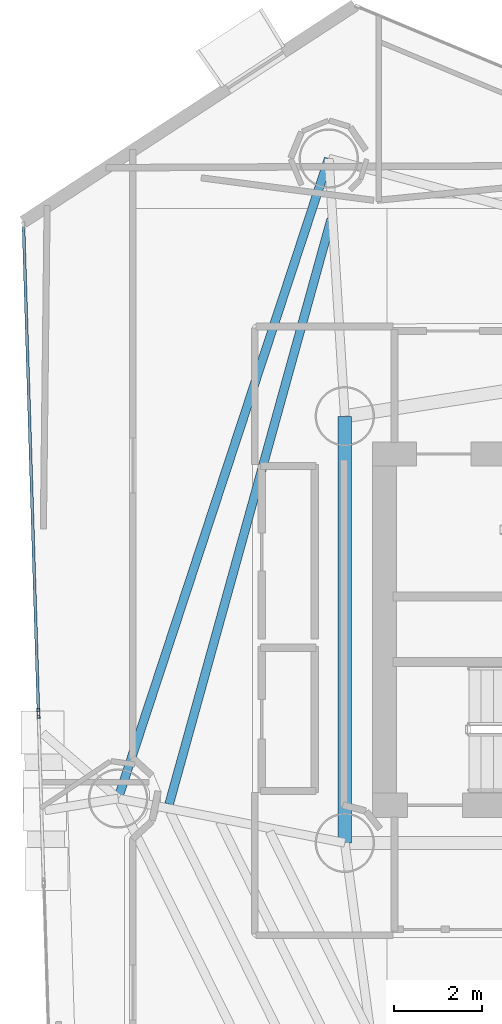
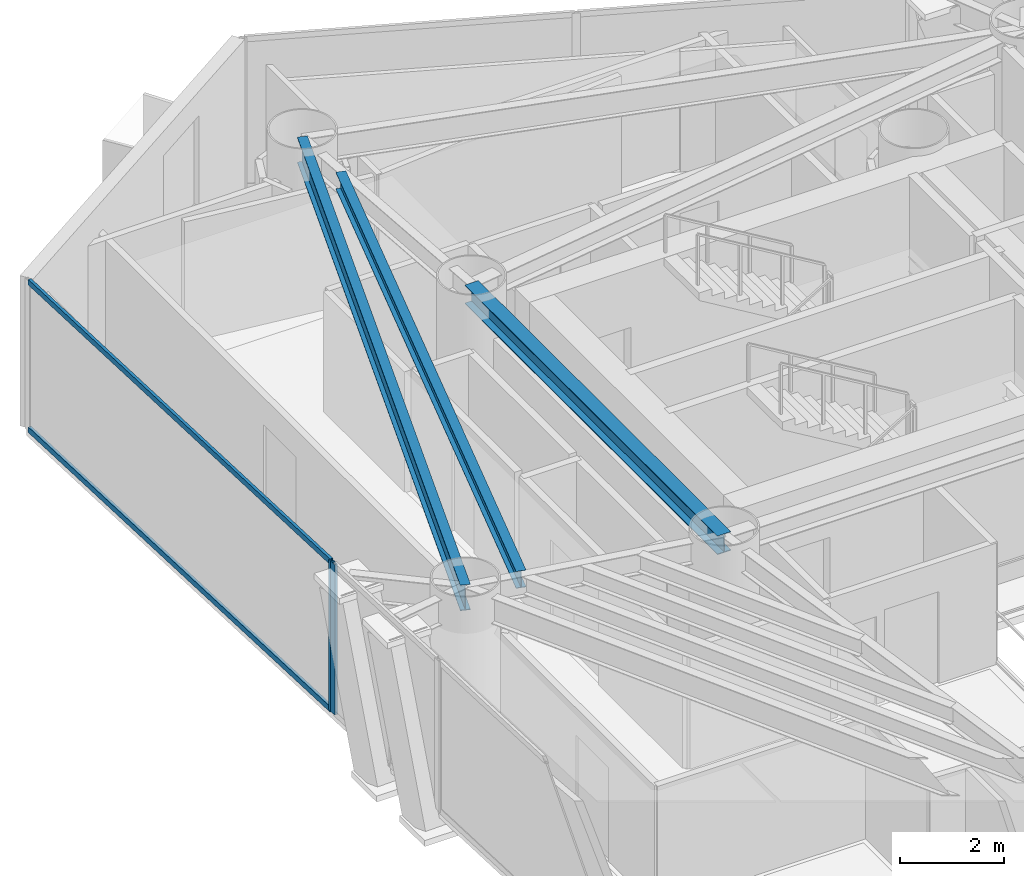
# One storey, part 9 of 22: 4 members, 3 beams, 2 elements without a shape of their own.
"""IFC4 building model written with IfcOpenShell, lengths in metres."""

from ifc_helpers import new_model, si_unit, direction, frame, origin, origin_2d, place, context, subcontext, project, spatial, hollow_rectangle, i_section, extrude, material, layer, layer_set, material_profile, profile_set, type_object, element, aggregate, save


model = new_model("IFC4")

# Units and contexts
model_context = context("Model", 3, precision=1e-05, world=origin(), true_north=direction((0.0, 1.0)))
body_context = subcontext(model_context, "Body", "Model", "MODEL_VIEW")
ifc_project = project(units=[si_unit("LENGTHUNIT", "METRE"), si_unit("AREAUNIT", "SQUARE_METRE"), si_unit("VOLUMEUNIT", "CUBIC_METRE"), si_unit("PLANEANGLEUNIT", "RADIAN"), si_unit("MASSUNIT", "GRAM", prefix="KILO")], contexts=[model_context])

# Site, building, storey
site_placement = place(None, origin())
site = spatial("IfcSite", under=ifc_project, at=site_placement, CompositionType="ELEMENT")
building_placement = place(site_placement, origin())
building = spatial("IfcBuilding", under=site, at=building_placement, Name="Qianvela Tower", CompositionType="ELEMENT")
storey_placement = place(building_placement, frame((0.0, 0.0, 158.699951171875)))
storey = spatial("IfcBuildingStorey", under=building, at=storey_placement, Name="L40", CompositionType="ELEMENT", Elevation=158.699951171875)

# Beams
ifc_material_1 = material(Name="Steel Q355B", Category="steel")
ifc_material_profile_1 = material_profile(ifc_material_1, i_section(OverallWidth=0.300048828125, OverallDepth=0.43994140625, WebThickness=0.010986328125, FlangeThickness=0.01806640625, at=origin_2d()), Name="HM440x300x11x18")
ifc_profile_set_1 = profile_set([ifc_material_profile_1], Name="Steel Q355B")
beam_type_1 = type_object("IfcBeamType", Name="BM-HM440-COLL", PredefinedType="BEAM", material=ifc_profile_set_1)
beam_1_placement = place(storey_placement, frame((28.60009765625, 33.550048828125, 3.298095703125), z_axis=(0.0, -1.0, 0.0), x_axis=(1.0, 0.0, 0.0)))
element("IfcBeam", 1, at=beam_1_placement, inside=storey, type_object=beam_type_1, Name="L40 Core Ring Collector Girder CC2", PredefinedType="BEAM", context=body_context, shape_type="SweptSolid", body=[
    extrude(i_section(OverallWidth=0.300048828125, OverallDepth=0.43994140625, WebThickness=0.010986328125, FlangeThickness=0.01806640625, at=origin_2d()), origin(), (0.0, 0.0, 1.0), 9.699951171875),
])
ifc_material_2 = material(Name="Steel Q355B", Category="steel")
ifc_material_profile_2 = material_profile(ifc_material_2, i_section(OverallWidth=0.199951171875, OverallDepth=0.39990234375, WebThickness=0.008056640625, FlangeThickness=0.012939453125, at=origin_2d()), Name="HN400x200x8x13")
ifc_profile_set_2 = profile_set([ifc_material_profile_2], Name="Steel Q355B")
beam_type_2 = type_object("IfcBeamType", Name="BM-HN400-JOIST", PredefinedType="JOIST", material=ifc_profile_set_2)
beam_2_placement = place(storey_placement, frame((28.289794921875, 38.029052734375, 3.318115234375), z_axis=(-0.266971346744, -0.963704467157, 0.0), x_axis=(0.963704467157, -0.266971346744, 0.0)))
element("IfcBeam", 2, at=beam_2_placement, inside=storey, type_object=beam_type_2, Name="L40 Secondary Composite Floor Joist 3.3", PredefinedType="JOIST", context=body_context, shape_type="SweptSolid", body=[
    extrude(i_section(OverallWidth=0.199951171875, OverallDepth=0.39990234375, WebThickness=0.008056640625, FlangeThickness=0.012939453125, at=origin_2d()), origin(), (0.0, 0.0, 1.0), 13.800537109375),
])
ifc_material_3 = material(Name="Steel Q355B", Category="steel")
ifc_material_profile_3 = material_profile(ifc_material_3, i_section(OverallWidth=0.199951171875, OverallDepth=0.60009765625, WebThickness=0.010986328125, FlangeThickness=0.01708984375, at=origin_2d()), Name="HN600x200x11x17")
ifc_profile_set_3 = profile_set([ifc_material_profile_3], Name="Steel Q355B")
beam_type_3 = type_object("IfcBeamType", Name="BM-HN600-GIRD", PredefinedType="BEAM", material=ifc_profile_set_3)
beam_3_placement = place(storey_placement, frame((28.235107421875, 39.410888671875, 3.218017578125), z_axis=(-0.312606332657, -0.949882772126, 0.0), x_axis=(0.949882772126, -0.312606332657, 0.0)))
element("IfcBeam", 3, at=beam_3_placement, inside=storey, type_object=beam_type_3, Name="L40 Perimeter Ring Spandrel Girder 3", PredefinedType="BEAM", context=body_context, shape_type="SweptSolid", body=[
    extrude(i_section(OverallWidth=0.199951171875, OverallDepth=0.60009765625, WebThickness=0.010986328125, FlangeThickness=0.01708984375, at=origin_2d()), origin(), (0.0, 0.0, 1.0), 15.31982421875),
])

# Curtain wall, member
ifc_material_4 = material(Name="Anodised Architectural Aluminium and Insulated Spandrel Panel", Category="aluminium")
ifc_layer_1 = layer(ifc_material_4, 0.179931640625)
ifc_layer_set_1 = layer_set([ifc_layer_1], Name="Anodised Architectural Aluminium and Insulated Spandrel Panel")
curtain_wall_type_1 = type_object("IfcCurtainWallType", Name="CW-BRACEBAY", PredefinedType="USERDEFINED", material=ifc_layer_set_1)
curtain_wall_1_placement = place(storey_placement, origin())
curtain_wall_1 = element("IfcCurtainWall", 4, at=curtain_wall_1_placement, inside=storey, type_object=curtain_wall_type_1, Name="L40 CW-BRACEBAY Curtain Wall 04B", ObjectType="CURTAIN_WALL_SYSTEM", PredefinedType="USERDEFINED")
ifc_material_5 = material(Name="Anodised Architectural Aluminium 6063-T6", Category="aluminium")
ifc_material_profile_4 = material_profile(ifc_material_5, hollow_rectangle(XDim=0.06494140625, YDim=0.159912109375, WallThickness=0.0048828125, at=origin_2d()), Name="ALU-MULL-65x160")
ifc_profile_set_4 = profile_set([ifc_material_profile_4], Name="Anodised Architectural Aluminium 6063-T6")
member_type_1 = type_object("IfcMemberType", Name="CW-BRACEBAY-MULL", PredefinedType="MULLION", material=ifc_profile_set_4)
member_1_placement = place(storey_placement, frame((21.63525390625, 26.76416015625, 0.0), z_axis=(0.0, 0.0, 1.0), x_axis=(0.999528664556, 0.030699327861, 0.0)))
member_1 = element("IfcMember", 5, at=member_1_placement, type_object=member_type_1, Name="CW-9 mullion 1", PredefinedType="MULLION", context=body_context, shape_type="SweptSolid", body=[
    extrude(hollow_rectangle(XDim=0.06494140625, YDim=0.159912109375, WallThickness=0.0048828125, at=origin_2d()), origin(), (0.0, 0.0, 1.0), 3.52001953125),
])
aggregate(curtain_wall_1, [member_1])

# Curtain wall, members
ifc_material_6 = material(Name="Anodised Architectural Aluminium and Low-E Glass", Category="aluminium")
ifc_layer_2 = layer(ifc_material_6, 0.169921875)
ifc_layer_set_2 = layer_set([ifc_layer_2], Name="Anodised Architectural Aluminium and Low-E Glass")
curtain_wall_type_2 = type_object("IfcCurtainWallType", Name="CW-COLIV-Z34", PredefinedType="USERDEFINED", material=ifc_layer_set_2)
curtain_wall_2_placement = place(storey_placement, origin())
curtain_wall_2 = element("IfcCurtainWall", 6, at=curtain_wall_2_placement, inside=storey, type_object=curtain_wall_type_2, Name="L40 CW-COLIV-Z34 Curtain Wall 04A", ObjectType="CURTAIN_WALL_SYSTEM", PredefinedType="USERDEFINED")
ifc_material_7 = material(Name="Anodised Architectural Aluminium 6063-T6", Category="aluminium")
ifc_material_profile_5 = material_profile(ifc_material_7, hollow_rectangle(XDim=0.06494140625, YDim=0.159912109375, WallThickness=0.0048828125, at=origin_2d()), Name="ALU-MULL-65x160")
ifc_profile_set_5 = profile_set([ifc_material_profile_5], Name="Anodised Architectural Aluminium 6063-T6")
member_type_2 = type_object("IfcMemberType", Name="CW-COLIV-Z34-MULL", PredefinedType="MULLION", material=ifc_profile_set_5)
member_2_placement = place(storey_placement, frame((21.63330078125, 26.8291015625, 0.0), z_axis=(0.0, 0.0, 1.0), x_axis=(0.999528062959, 0.030718908808, 0.0)))
member_2 = element("IfcMember", 7, at=member_2_placement, type_object=member_type_2, Name="CW-4 mullion 2", PredefinedType="MULLION", context=body_context, shape_type="SweptSolid", body=[
    extrude(hollow_rectangle(XDim=0.06494140625, YDim=0.159912109375, WallThickness=0.0048828125, at=origin_2d()), origin(), (0.0, 0.0, 1.0), 3.52001953125),
])
ifc_material_8 = material(Name="Anodised Architectural Aluminium 6063-T6", Category="aluminium")
ifc_material_profile_6 = material_profile(ifc_material_8, hollow_rectangle(XDim=0.06494140625, YDim=0.1298828125, WallThickness=0.00439453125, at=origin_2d()), Name="ALU-TRAN-65x130")
ifc_profile_set_6 = profile_set([ifc_material_profile_6], Name="Anodised Architectural Aluminium 6063-T6")
member_type_3 = type_object("IfcMemberType", Name="CW-COLIV-Z34-TRAN", PredefinedType="USERDEFINED", material=ifc_profile_set_6)
member_3_placement = place(storey_placement, frame((21.29443359375, 37.8564453125, 0.032470703125), z_axis=(0.030717151413, -0.999528116968, 0.0), x_axis=(0.999528116968, 0.030717151413, 0.0)))
member_3 = element("IfcMember", 8, at=member_3_placement, type_object=member_type_3, Name="CW-4 transom 1.1", ObjectType="TRANSOM", PredefinedType="USERDEFINED", context=body_context, shape_type="SweptSolid", body=[
    extrude(hollow_rectangle(XDim=0.06494140625, YDim=0.1298828125, WallThickness=0.00439453125, at=origin_2d()), origin(), (0.0, 0.0, 1.0), 11.0),
])
member_4_placement = place(storey_placement, frame((21.29443359375, 37.8564453125, 3.487548828125), z_axis=(0.030717151413, -0.999528116968, 0.0), x_axis=(0.999528116968, 0.030717151413, 0.0)))
member_4 = element("IfcMember", 9, at=member_4_placement, type_object=member_type_3, Name="CW-4 transom 1.2", ObjectType="TRANSOM", PredefinedType="USERDEFINED", context=body_context, shape_type="SweptSolid", body=[
    extrude(hollow_rectangle(XDim=0.06494140625, YDim=0.1298828125, WallThickness=0.00439453125, at=origin_2d()), origin(), (0.0, 0.0, 1.0), 11.0),
])
aggregate(curtain_wall_2, [member_2, member_3, member_4])

save(model, "model.ifc")
